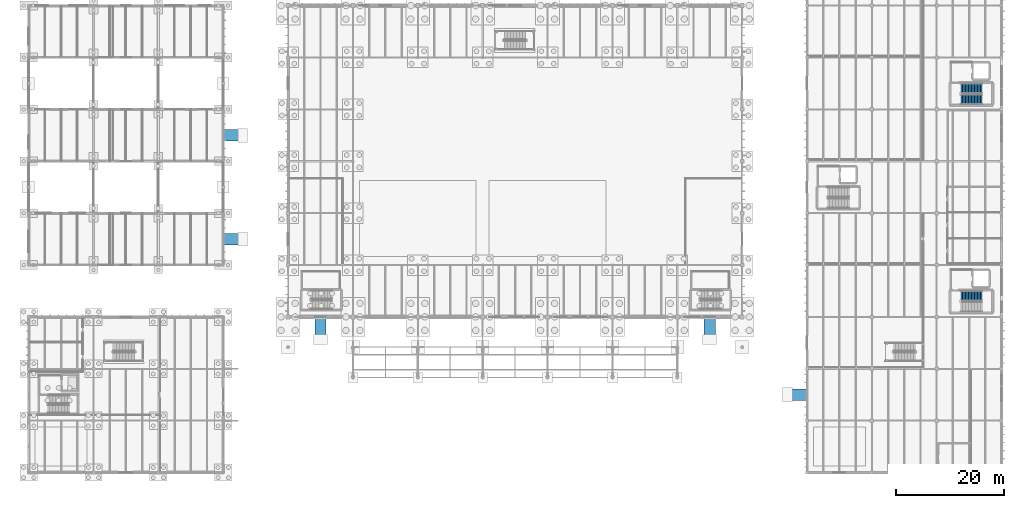
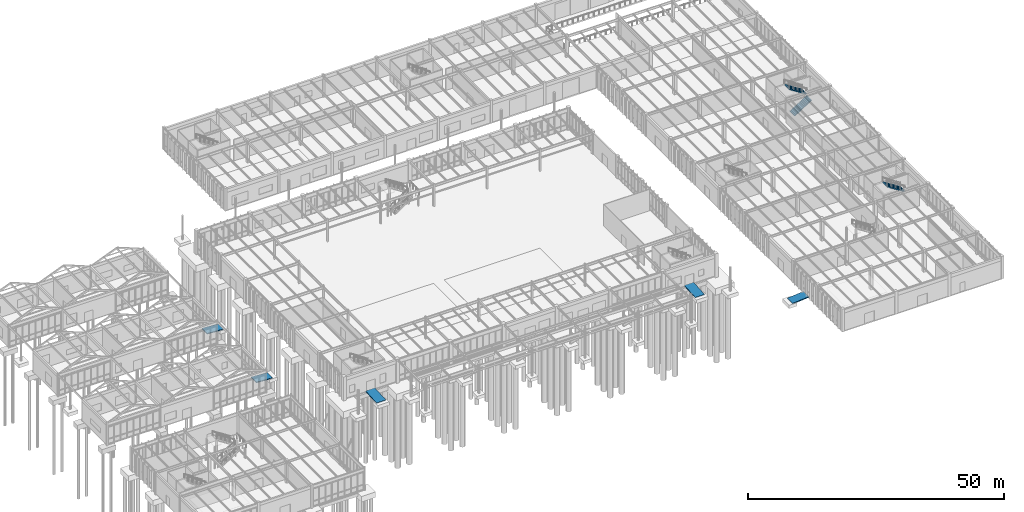
# One storey, part 171 of 188: 5 ramp flights, 3 stair flights, 7 elements without a shape of their own.
"""IFC4 building model written with IfcOpenShell, lengths in metres."""

from ifc_helpers import new_model, si_unit, direction, frame, origin, place, context, subcontext, project, spatial, polyline, outline, extrude, material, layer, layer_set, type_object, element, aggregate, save


model = new_model("IFC4")

# Units and contexts
model_context = context("Model", 3, precision=1e-05, world=origin(), true_north=direction((0.0, 1.0)))
body_context = subcontext(model_context, "Body", "Model", "MODEL_VIEW")
ifc_project = project(units=[si_unit("LENGTHUNIT", "METRE"), si_unit("AREAUNIT", "SQUARE_METRE"), si_unit("VOLUMEUNIT", "CUBIC_METRE"), si_unit("PLANEANGLEUNIT", "RADIAN"), si_unit("MASSUNIT", "GRAM", prefix="KILO")], contexts=[model_context])

# Site, building, storey
site_placement = place(None, origin())
site = spatial("IfcSite", under=ifc_project, at=site_placement, CompositionType="ELEMENT")
building_placement = place(site_placement, origin())
building = spatial("IfcBuilding", under=site, at=building_placement, Name="Pandanus Reach Market Hall", CompositionType="ELEMENT")
storey_placement = place(building_placement, origin())
storey = spatial("IfcBuildingStorey", under=building, at=storey_placement, Name="L00", CompositionType="ELEMENT", Elevation=0.0)

# Stair, stair flight
ifc_material = material(Name="Concrete N40 (40 MPa)", Category="concrete")
stair_type = type_object("IfcStairType", Name="STR-02", PredefinedType="HALF_TURN_STAIR", material=ifc_material)
stair_1_placement = place(storey_placement, origin())
stair_1 = element("IfcStair", 1, at=stair_1_placement, inside=storey, type_object=stair_type, Name="Stair ST-01 L00", PredefinedType="HALF_TURN_STAIR")
stair_flight_type = type_object("IfcStairFlightType", Name="STF-02", PredefinedType="STRAIGHT", material=ifc_material)
stair_flight_1_placement = place(storey_placement, frame((176.3701171875, 32.675048828125, 2.699951171875), z_axis=(0.0, 0.0, 1.0), x_axis=(-1.0, 0.0, 0.0)))
stair_flight_1 = element("IfcStairFlight", 2, at=stair_flight_1_placement, type_object=stair_flight_type, Name="STR-02 flight 2", NumberOfRisers=15, NumberOfTreads=14, PredefinedType="STRAIGHT", RiserHeight=0.18, TreadLength=0.28, context=body_context, shape_type="SweptSolid", body=[
    extrude(outline(polyline([(0.0, 0.0), (0.0, 0.179931640625), (0.280029296875, 0.179931640625), (0.280029296875, 0.360107421875), (0.56005859375, 0.360107421875), (0.56005859375, 0.5400390625), (0.840087890625, 0.5400390625), (0.840087890625, 0.719970703125), (1.1201171875, 0.719970703125), (1.1201171875, 0.89990234375), (1.39990234375, 0.89990234375), (1.39990234375, 1.080078125), (1.679931640625, 1.080078125), (1.679931640625, 1.260009765625), (1.9599609375, 1.260009765625), (1.9599609375, 1.43994140625), (2.239990234375, 1.43994140625), (2.239990234375, 1.6201171875), (2.52001953125, 1.6201171875), (2.52001953125, 1.800048828125), (2.800048828125, 1.800048828125), (2.800048828125, 1.97998046875), (3.080078125, 1.97998046875), (3.080078125, 2.159912109375), (3.360107421875, 2.159912109375), (3.360107421875, 2.340087890625), (3.639892578125, 2.340087890625), (3.639892578125, 2.52001953125), (3.919921875, 2.52001953125), (3.919921875, 2.699951171875), (3.919921875, 2.341796875), (0.277099609375, 0.0), (0.0, 0.0)])), frame((0.0, 0.925048828125, 0.0), z_axis=(0.0, -1.0, 0.0), x_axis=(1.0, 0.0, 0.0)), (0.0, 0.0, 1.0), 1.85009765625),
])
aggregate(stair_1, [stair_flight_1])

# Stair, stair flights
stair_2_placement = place(storey_placement, origin())
stair_2 = element("IfcStair", 3, at=stair_2_placement, inside=storey, type_object=stair_type, Name="Stair ST-02 L00", PredefinedType="HALF_TURN_STAIR")
stair_flight_2_placement = place(storey_placement, frame((172.449951171875, 69.02490234375, 0.0), z_axis=(0.0, 0.0, 1.0), x_axis=(1.0, 0.0, 0.0)))
stair_flight_2 = element("IfcStairFlight", 4, at=stair_flight_2_placement, type_object=stair_flight_type, Name="STR-02 flight 1", NumberOfRisers=15, NumberOfTreads=14, PredefinedType="STRAIGHT", RiserHeight=0.18, TreadLength=0.28, context=body_context, shape_type="SweptSolid", body=[
    extrude(outline(polyline([(0.0, 0.0), (0.0, 0.179931640625), (0.280029296875, 0.179931640625), (0.280029296875, 0.360107421875), (0.56005859375, 0.360107421875), (0.56005859375, 0.5400390625), (0.840087890625, 0.5400390625), (0.840087890625, 0.719970703125), (1.1201171875, 0.719970703125), (1.1201171875, 0.89990234375), (1.39990234375, 0.89990234375), (1.39990234375, 1.080078125), (1.679931640625, 1.080078125), (1.679931640625, 1.260009765625), (1.9599609375, 1.260009765625), (1.9599609375, 1.43994140625), (2.239990234375, 1.43994140625), (2.239990234375, 1.6201171875), (2.52001953125, 1.6201171875), (2.52001953125, 1.800048828125), (2.800048828125, 1.800048828125), (2.800048828125, 1.97998046875), (3.080078125, 1.97998046875), (3.080078125, 2.159912109375), (3.360107421875, 2.159912109375), (3.360107421875, 2.340087890625), (3.639892578125, 2.340087890625), (3.639892578125, 2.52001953125), (3.919921875, 2.52001953125), (3.919921875, 2.699951171875), (3.919921875, 2.341796875), (0.277099609375, 0.0), (0.0, 0.0)])), frame((0.0, 0.925048828125, 0.0), z_axis=(0.0, -1.0, 0.0), x_axis=(1.0, 0.0, 0.0)), (0.0, 0.0, 1.0), 1.85009765625),
])
stair_flight_3_placement = place(storey_placement, frame((176.3701171875, 71.074951171875, 2.699951171875), z_axis=(0.0, 0.0, 1.0), x_axis=(-1.0, 0.0, 0.0)))
stair_flight_3 = element("IfcStairFlight", 5, at=stair_flight_3_placement, type_object=stair_flight_type, Name="STR-02 flight 2", NumberOfRisers=15, NumberOfTreads=14, PredefinedType="STRAIGHT", RiserHeight=0.18, TreadLength=0.28, context=body_context, shape_type="SweptSolid", body=[
    extrude(outline(polyline([(0.0, 0.0), (0.0, 0.179931640625), (0.280029296875, 0.179931640625), (0.280029296875, 0.360107421875), (0.56005859375, 0.360107421875), (0.56005859375, 0.5400390625), (0.840087890625, 0.5400390625), (0.840087890625, 0.719970703125), (1.1201171875, 0.719970703125), (1.1201171875, 0.89990234375), (1.39990234375, 0.89990234375), (1.39990234375, 1.080078125), (1.679931640625, 1.080078125), (1.679931640625, 1.260009765625), (1.9599609375, 1.260009765625), (1.9599609375, 1.43994140625), (2.239990234375, 1.43994140625), (2.239990234375, 1.6201171875), (2.52001953125, 1.6201171875), (2.52001953125, 1.800048828125), (2.800048828125, 1.800048828125), (2.800048828125, 1.97998046875), (3.080078125, 1.97998046875), (3.080078125, 2.159912109375), (3.360107421875, 2.159912109375), (3.360107421875, 2.340087890625), (3.639892578125, 2.340087890625), (3.639892578125, 2.52001953125), (3.919921875, 2.52001953125), (3.919921875, 2.699951171875), (3.919921875, 2.341796875), (0.277099609375, 0.0), (0.0, 0.0)])), frame((0.0, 0.925048828125, 0.0), z_axis=(0.0, -1.0, 0.0), x_axis=(1.0, 0.0, 0.0)), (0.0, 0.0, 1.0), 1.85009765625),
])
aggregate(stair_2, [stair_flight_2, stair_flight_3])

# Ramp, ramp flight
ramp_type = type_object("IfcRampType", Name="RMP-P1", PredefinedType="STRAIGHT_RUN_RAMP", material=ifc_material)
ramp_1_placement = place(storey_placement, origin())
ramp_1 = element("IfcRamp", 6, at=ramp_1_placement, inside=storey, type_object=ramp_type, Name="Accessible park forecourt ramp RP-01", PredefinedType="STRAIGHT_RUN_RAMP")
ifc_layer = layer(ifc_material, 0.199951171875, Name="RMF-P1")
ifc_layer_set = layer_set([ifc_layer], Name="Concrete N40 (40 MPa)")
ramp_flight_type = type_object("IfcRampFlightType", Name="RMF-P1", PredefinedType="STRAIGHT", material=ifc_layer_set)
ramp_flight_1_placement = place(storey_placement, frame((54.0, 24.60009765625, -0.300048828125), z_axis=(0.0, 0.0, 1.0), x_axis=(0.0, 1.0, 0.0)))
ramp_flight_1 = element("IfcRampFlight", 7, at=ramp_flight_1_placement, type_object=ramp_flight_type, Name="Accessible park forecourt ramp RP-01 flight 1", PredefinedType="STRAIGHT", context=body_context, shape_type="SweptSolid", body=[
    extrude(outline(polyline([(0.0, 0.0), (4.2998046875, 0.300048828125), (4.2998046875, 0.10009765625), (0.0, -0.199951171875), (0.0, 0.0)])), frame((0.0, 1.050048828125, 0.0), z_axis=(0.0, -1.0, 0.0), x_axis=(1.0, 0.0, 0.0)), (0.0, 0.0, 1.0), 2.10009765625),
])
aggregate(ramp_1, [ramp_flight_1])

ramp_2_placement = place(storey_placement, origin())
ramp_2 = element("IfcRamp", 8, at=ramp_2_placement, inside=storey, type_object=ramp_type, Name="Accessible park forecourt ramp RP-02", PredefinedType="STRAIGHT_RUN_RAMP")
ramp_flight_2_placement = place(storey_placement, frame((126.0, 24.60009765625, -0.300048828125), z_axis=(0.0, 0.0, 1.0), x_axis=(0.0, 1.0, 0.0)))
ramp_flight_2 = element("IfcRampFlight", 9, at=ramp_flight_2_placement, type_object=ramp_flight_type, Name="Accessible park forecourt ramp RP-02 flight 1", PredefinedType="STRAIGHT", context=body_context, shape_type="SweptSolid", body=[
    extrude(outline(polyline([(0.0, 0.0), (4.2998046875, 0.300048828125), (4.2998046875, 0.10009765625), (0.0, -0.199951171875), (0.0, 0.0)])), frame((0.0, 1.050048828125, 0.0), z_axis=(0.0, -1.0, 0.0), x_axis=(1.0, 0.0, 0.0)), (0.0, 0.0, 1.0), 2.10009765625),
])
aggregate(ramp_2, [ramp_flight_2])

ramp_3_placement = place(storey_placement, origin())
ramp_3 = element("IfcRamp", 10, at=ramp_3_placement, inside=storey, type_object=ramp_type, Name="Accessible west promenade ramp RP-03", PredefinedType="STRAIGHT_RUN_RAMP")
ramp_flight_3_placement = place(storey_placement, frame((39.60009765625, 43.199951171875, -0.25), z_axis=(0.0, 0.0, 1.0), x_axis=(-1.0, 0.0, 0.0)))
ramp_flight_3 = element("IfcRampFlight", 11, at=ramp_flight_3_placement, type_object=ramp_flight_type, Name="Accessible west promenade ramp RP-03 flight 1", PredefinedType="STRAIGHT", context=body_context, shape_type="SweptSolid", body=[
    extrude(outline(polyline([(0.0, 0.0), (3.7001953125, 0.25), (3.7001953125, 0.050048828125), (0.0, -0.199951171875), (0.0, 0.0)])), frame((0.0, 1.050048828125, 0.0), z_axis=(0.0, -1.0, 0.0), x_axis=(1.0, 0.0, 0.0)), (0.0, 0.0, 1.0), 2.10009765625),
])
aggregate(ramp_3, [ramp_flight_3])

ramp_4_placement = place(storey_placement, origin())
ramp_4 = element("IfcRamp", 12, at=ramp_4_placement, inside=storey, type_object=ramp_type, Name="Accessible west promenade ramp RP-04", PredefinedType="STRAIGHT_RUN_RAMP")
ramp_flight_4_placement = place(storey_placement, frame((39.60009765625, 62.39990234375, -0.25), z_axis=(0.0, 0.0, 1.0), x_axis=(-1.0, 0.0, 0.0)))
ramp_flight_4 = element("IfcRampFlight", 13, at=ramp_flight_4_placement, type_object=ramp_flight_type, Name="Accessible west promenade ramp RP-04 flight 1", PredefinedType="STRAIGHT", context=body_context, shape_type="SweptSolid", body=[
    extrude(outline(polyline([(0.0, 0.0), (3.7001953125, 0.25), (3.7001953125, 0.050048828125), (0.0, -0.199951171875), (0.0, 0.0)])), frame((0.0, 1.050048828125, 0.0), z_axis=(0.0, -1.0, 0.0), x_axis=(1.0, 0.0, 0.0)), (0.0, 0.0, 1.0), 2.10009765625),
])
aggregate(ramp_4, [ramp_flight_4])

ramp_5_placement = place(storey_placement, origin())
ramp_5 = element("IfcRamp", 14, at=ramp_5_placement, inside=storey, type_object=ramp_type, Name="Accessible boulevard colonnade ramp RP-05", PredefinedType="STRAIGHT_RUN_RAMP")
ramp_flight_5_placement = place(storey_placement, frame((140.39990234375, 14.39990234375, -0.300048828125), z_axis=(0.0, 0.0, 1.0), x_axis=(1.0, 0.0, 0.0)))
ramp_flight_5 = element("IfcRampFlight", 15, at=ramp_flight_5_placement, type_object=ramp_flight_type, Name="Accessible boulevard colonnade ramp RP-05 flight 1", PredefinedType="STRAIGHT", context=body_context, shape_type="SweptSolid", body=[
    extrude(outline(polyline([(0.0, 0.0), (3.7001953125, 0.300048828125), (3.7001953125, 0.10009765625), (0.0, -0.199951171875), (0.0, 0.0)])), frame((0.0, 1.050048828125, 0.0), z_axis=(0.0, -1.0, 0.0), x_axis=(1.0, 0.0, 0.0)), (0.0, 0.0, 1.0), 2.10009765625),
])
aggregate(ramp_5, [ramp_flight_5])

save(model, "model.ifc")
